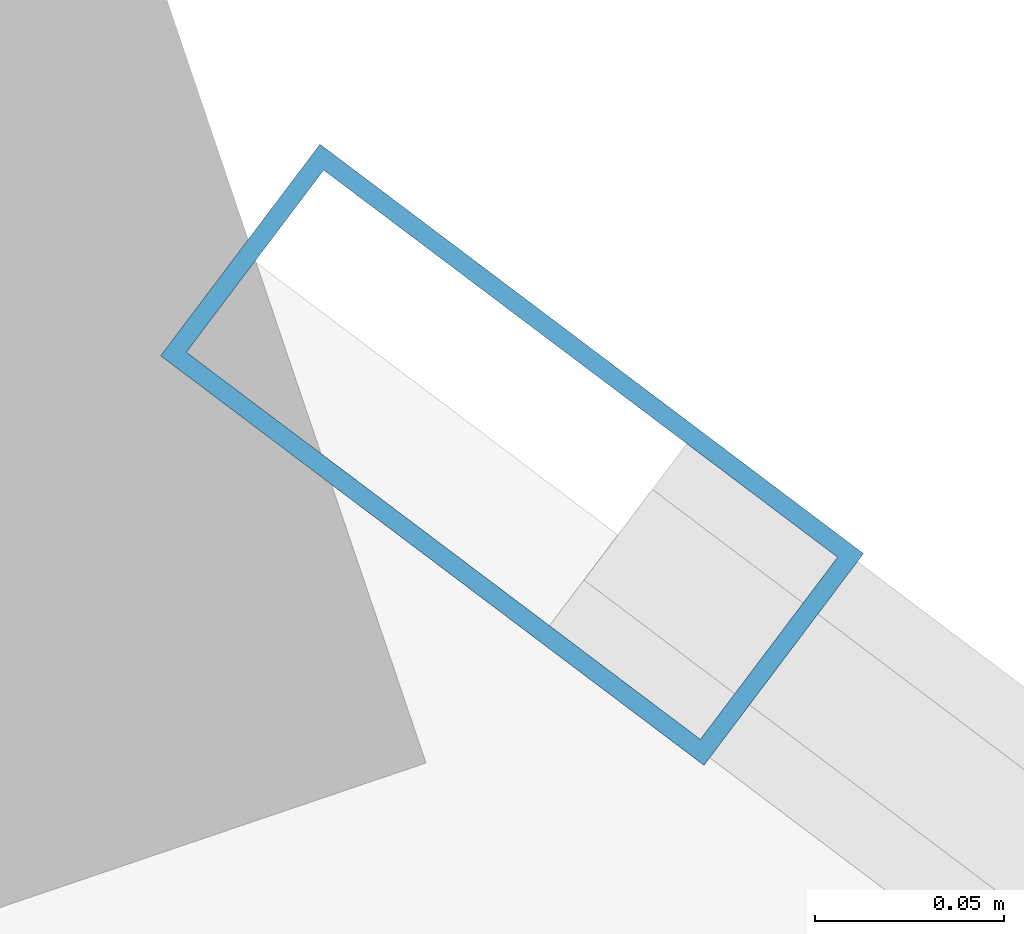
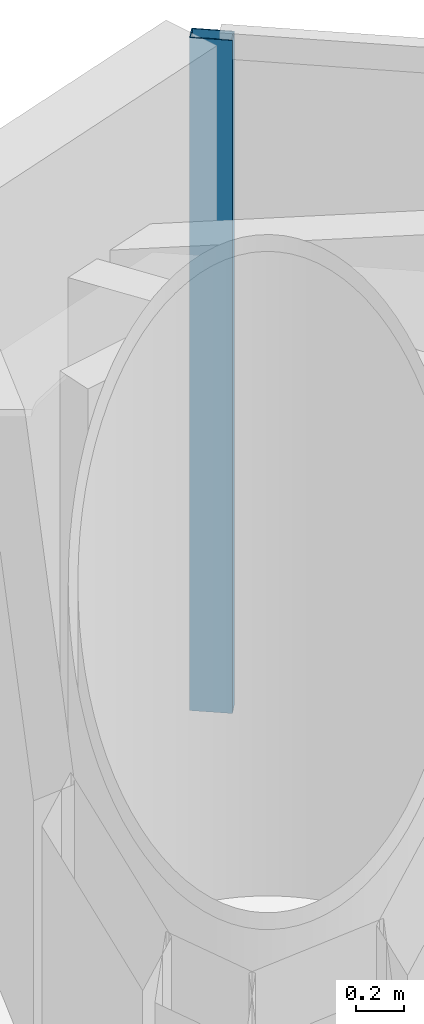
# One storey, part 14 of 22: 1 member, 1 element without a shape of its own.
"""IFC4 building model written with IfcOpenShell, lengths in metres."""

from ifc_helpers import new_model, si_unit, direction, frame, origin, origin_2d, place, context, subcontext, project, spatial, hollow_rectangle, extrude, material, layer, layer_set, material_profile, profile_set, type_object, element, aggregate, save


model = new_model("IFC4")

# Units and contexts
model_context = context("Model", 3, precision=1e-05, world=origin(), true_north=direction((0.0, 1.0)))
body_context = subcontext(model_context, "Body", "Model", "MODEL_VIEW")
ifc_project = project(units=[si_unit("LENGTHUNIT", "METRE"), si_unit("AREAUNIT", "SQUARE_METRE"), si_unit("VOLUMEUNIT", "CUBIC_METRE"), si_unit("PLANEANGLEUNIT", "RADIAN"), si_unit("MASSUNIT", "GRAM", prefix="KILO")], contexts=[model_context])

# Site, building, storey
site_placement = place(None, origin())
site = spatial("IfcSite", under=ifc_project, at=site_placement, CompositionType="ELEMENT")
building_placement = place(site_placement, origin())
building = spatial("IfcBuilding", under=site, at=building_placement, Name="Qianvela Tower", CompositionType="ELEMENT")
storey_placement = place(building_placement, frame((0.0, 0.0, 89.5)))
storey = spatial("IfcBuildingStorey", under=building, at=storey_placement, Name="L22", CompositionType="ELEMENT", Elevation=89.5)

# Curtain wall, member
ifc_material_1 = material(Name="Anodised Architectural Aluminium and Low-E Glass", Category="aluminium")
ifc_layer = layer(ifc_material_1, 0.179931640625)
ifc_layer_set = layer_set([ifc_layer], Name="Anodised Architectural Aluminium and Low-E Glass")
curtain_wall_type = type_object("IfcCurtainWallType", Name="CW-COLIV-Z12", PredefinedType="USERDEFINED", material=ifc_layer_set)
curtain_wall_placement = place(storey_placement, origin())
curtain_wall = element("IfcCurtainWall", 1, at=curtain_wall_placement, inside=storey, type_object=curtain_wall_type, Name="L22 CW-COLIV-Z12 Curtain Wall 02C", ObjectType="CURTAIN_WALL_SYSTEM", PredefinedType="USERDEFINED")
ifc_material_2 = material(Name="Anodised Architectural Aluminium 6063-T6", Category="aluminium")
ifc_material_profile = material_profile(ifc_material_2, hollow_rectangle(XDim=0.070068359375, YDim=0.179931640625, WallThickness=0.0048828125, at=origin_2d()), Name="ALU-MULL-70x180")
ifc_profile_set = profile_set([ifc_material_profile], Name="Anodised Architectural Aluminium 6063-T6")
member_type = type_object("IfcMemberType", Name="CW-COLIV-Z12-MULL", PredefinedType="MULLION", material=ifc_profile_set)
member_placement = place(storey_placement, frame((34.399658203125, 44.50244140625, 0.0), z_axis=(0.0, 0.0, 1.0), x_axis=(-0.601713303516, -0.798712151136, 0.0)))
member = element("IfcMember", 2, at=member_placement, type_object=member_type, Name="CW-3 mullion 3", PredefinedType="MULLION", context=body_context, shape_type="SweptSolid", body=[
    extrude(hollow_rectangle(XDim=0.070068359375, YDim=0.179931640625, WallThickness=0.0048828125, at=origin_2d()), origin(), (0.0, 0.0, 1.0), 3.39990234375),
])
aggregate(curtain_wall, [member])

save(model, "model.ifc")
